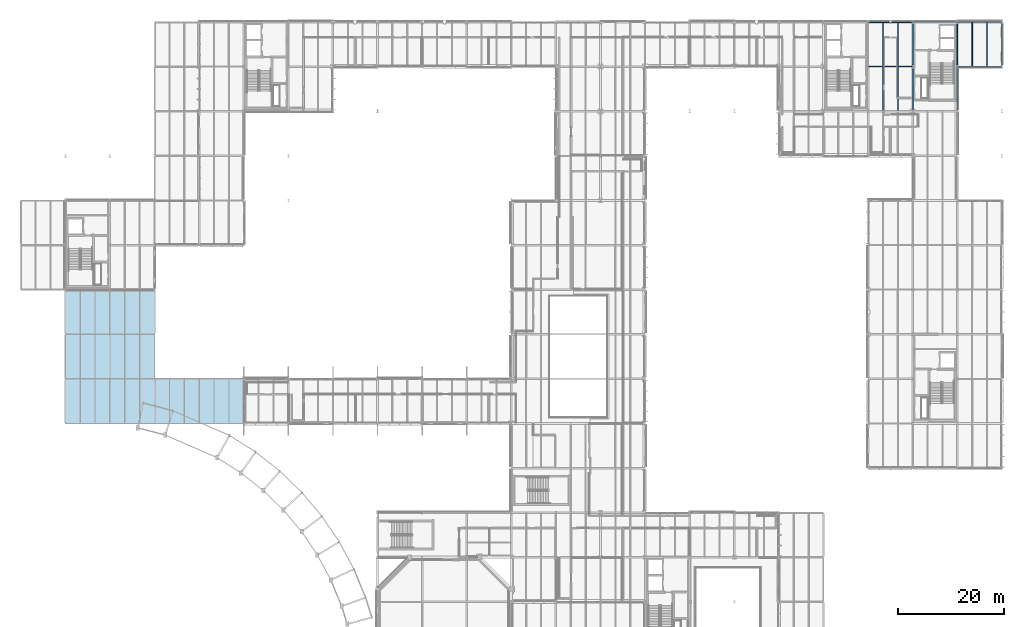
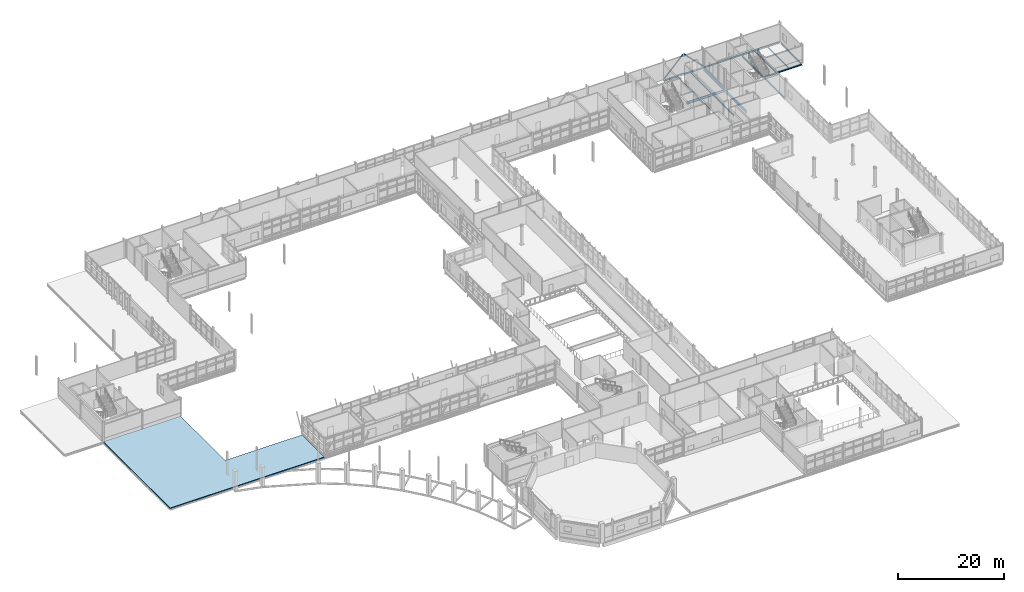
# One storey, part 80 of 129: 16 beams, 2 members, 1 slab.
"""IFC4 building model written with IfcOpenShell, lengths in metres."""

from ifc_helpers import new_model, si_unit, direction, frame, origin, origin_2d, place, context, subcontext, project, spatial, polyline, hollow_circle, i_section, outline, extrude, material, layer, layer_set, material_profile, profile_set, type_object, element, save


model = new_model("IFC4")

# Units and contexts
model_context = context("Model", 3, precision=1e-05, world=origin(), true_north=direction((0.0, 1.0)))
body_context = subcontext(model_context, "Body", "Model", "MODEL_VIEW")
ifc_project = project(units=[si_unit("LENGTHUNIT", "METRE"), si_unit("AREAUNIT", "SQUARE_METRE"), si_unit("VOLUMEUNIT", "CUBIC_METRE"), si_unit("PLANEANGLEUNIT", "RADIAN"), si_unit("MASSUNIT", "GRAM", prefix="KILO")], contexts=[model_context])

# Site, building, storey
site_placement = place(None, origin())
site = spatial("IfcSite", under=ifc_project, at=site_placement, CompositionType="ELEMENT")
building_placement = place(site_placement, origin())
building = spatial("IfcBuilding", under=site, at=building_placement, Name="Mersafa Astral City Hall", CompositionType="ELEMENT")
storey_placement = place(building_placement, frame((0.0, 0.0, 5.39990234375)))
storey = spatial("IfcBuildingStorey", under=building, at=storey_placement, Name="L01", CompositionType="ELEMENT", Elevation=5.39990234375)

# Beams
ifc_material_1 = material(Name="Steel S355", Category="steel")
ifc_material_profile_1 = material_profile(ifc_material_1, i_section(OverallWidth=0.300048828125, OverallDepth=0.489990234375, WebThickness=0.011962890625, FlangeThickness=0.02294921875, FilletRadius=0.027099609375, at=origin_2d()), Name="HEA 500")
ifc_profile_set_1 = profile_set([ifc_material_profile_1], Name="Steel S355")
beam_type_1 = type_object("IfcBeamType", Name="STR-BM-HEA500", PredefinedType="BEAM", material=ifc_profile_set_1)
beam_1_placement = place(storey_placement, frame((168.0, 117.89501953125, -0.469970703125), z_axis=(0.0, 1.0, 0.0), x_axis=(-1.0, 0.0, 0.0)))
element("IfcBeam", 1, at=beam_1_placement, inside=storey, type_object=beam_type_1, Name="L01 Primary girder Y 20-14", PredefinedType="BEAM", context=body_context, shape_type="SweptSolid", body=[
    extrude(i_section(OverallWidth=0.300048828125, OverallDepth=0.489990234375, WebThickness=0.011962890625, FlangeThickness=0.02294921875, FilletRadius=0.027099609375, at=origin_2d()), origin(), (0.0, 0.0, 1.0), 7.81005859375),
])
ifc_material_profile_2 = material_profile(ifc_material_1, i_section(OverallWidth=0.179931640625, OverallDepth=0.39990234375, WebThickness=0.008544921875, FlangeThickness=0.013427734375, FilletRadius=0.02099609375, at=origin_2d()), Name="IPE 400")
ifc_profile_set_2 = profile_set([ifc_material_profile_2], Name="Steel S355")
beam_type_2 = type_object("IfcBeamType", Name="STR-BM-IPE400", PredefinedType="BEAM", material=ifc_profile_set_2)
beam_2_placement = place(storey_placement, frame((176.39990234375, 117.89501953125, -0.4248046875), z_axis=(0.0, 1.0, 0.0), x_axis=(-1.0, 0.0, 0.0)))
element("IfcBeam", 2, at=beam_2_placement, inside=storey, type_object=beam_type_2, Name="L01 Primary girder Y 21-14", PredefinedType="BEAM", context=body_context, shape_type="SweptSolid", body=[
    extrude(i_section(OverallWidth=0.179931640625, OverallDepth=0.39990234375, WebThickness=0.008544921875, FlangeThickness=0.013427734375, FilletRadius=0.02099609375, at=origin_2d()), origin(), (0.0, 0.0, 1.0), 7.81005859375),
])
ifc_material_profile_3 = material_profile(ifc_material_1, i_section(OverallWidth=0.2099609375, OverallDepth=0.550048828125, WebThickness=0.010986328125, FlangeThickness=0.01708984375, FilletRadius=0.02392578125, at=origin_2d()), Name="IPE 550")
ifc_profile_set_3 = profile_set([ifc_material_profile_3], Name="Steel S355")
beam_type_3 = type_object("IfcBeamType", Name="STR-BM-IPE550", PredefinedType="BEAM", material=ifc_profile_set_3)
beam_3_placement = place(storey_placement, frame((159.60302734375, 117.60009765625, -0.5), z_axis=(1.0, 0.0, 0.0), x_axis=(0.0, 1.0, 0.0)))
element("IfcBeam", 3, at=beam_3_placement, inside=storey, type_object=beam_type_3, Name="L01 Primary girder X 19-14", PredefinedType="BEAM", context=body_context, shape_type="SweptSolid", body=[
    extrude(i_section(OverallWidth=0.2099609375, OverallDepth=0.550048828125, WebThickness=0.010986328125, FlangeThickness=0.01708984375, FilletRadius=0.02392578125, at=origin_2d()), origin(), (0.0, 0.0, 1.0), 8.39404296875),
])
ifc_material_profile_4 = material_profile(ifc_material_1, i_section(OverallWidth=0.219970703125, OverallDepth=0.60009765625, WebThickness=0.011962890625, FlangeThickness=0.01904296875, FilletRadius=0.02392578125, at=origin_2d()), Name="IPE 600")
ifc_profile_set_4 = profile_set([ifc_material_profile_4], Name="Steel S355")
beam_type_4 = type_object("IfcBeamType", Name="STR-BM-IPE600", PredefinedType="BEAM", material=ifc_profile_set_4)
beam_4_placement = place(storey_placement, frame((168.0, 109.4951171875, -0.52490234375), z_axis=(0.0, 1.0, 0.0), x_axis=(-1.0, 0.0, 0.0)))
element("IfcBeam", 4, at=beam_4_placement, inside=storey, type_object=beam_type_4, Name="L01 Primary girder Y 20-13", PredefinedType="BEAM", context=body_context, shape_type="SweptSolid", body=[
    extrude(i_section(OverallWidth=0.219970703125, OverallDepth=0.60009765625, WebThickness=0.011962890625, FlangeThickness=0.01904296875, FilletRadius=0.02392578125, at=origin_2d()), origin(), (0.0, 0.0, 1.0), 7.809814453125),
])
ifc_material_profile_5 = material_profile(ifc_material_1, i_section(OverallWidth=0.110107421875, OverallDepth=0.219970703125, WebThickness=0.005859375, FlangeThickness=0.00927734375, FilletRadius=0.011962890625, at=origin_2d()), Name="IPE 220")
ifc_profile_set_5 = profile_set([ifc_material_profile_5], Name="Steel S355")
beam_type_5 = type_object("IfcBeamType", Name="STR-BM-JOIST-IPE220", PredefinedType="JOIST", material=ifc_profile_set_5)
for number, where, z_axis, x_axis, name in (
    (5, (162.39990234375, 117.699951171875, -0.3349609375), (0.0, 1.0, 0.0), (-1.0, 0.0, 0.0), "L01 Composite secondary floor joist 374"),
    (6, (165.199951171875, 117.699951171875, -0.3349609375), (0.0, 1.0, 0.0), (-1.0, 0.0, 0.0), "L01 Composite secondary floor joist 375"),
):
    element("IfcBeam", number, at=place(storey_placement, frame(where, z_axis=z_axis, x_axis=x_axis)), inside=storey, type_object=beam_type_5, Name=name, PredefinedType="JOIST", context=body_context, shape_type="SweptSolid", body=[
        extrude(i_section(OverallWidth=0.110107421875, OverallDepth=0.219970703125, WebThickness=0.005859375, FlangeThickness=0.00927734375, FilletRadius=0.011962890625, at=origin_2d()), origin(), (0.0, 0.0, 1.0), 8.219970703125),
    ])
ifc_material_profile_6 = material_profile(ifc_material_1, i_section(OverallWidth=0.1201171875, OverallDepth=0.239990234375, WebThickness=0.006103515625, FlangeThickness=0.009765625, FilletRadius=0.014892578125, at=origin_2d()), Name="IPE 240")
ifc_profile_set_6 = profile_set([ifc_material_profile_6], Name="Steel S355")
beam_type_6 = type_object("IfcBeamType", Name="STR-BM-JOIST-IPE240", PredefinedType="JOIST", material=ifc_profile_set_6)
for number, where, z_axis, x_axis, name in (
    (7, (162.39990234375, 109.344970703125, -0.344970703125), (0.0, 1.0, 0.0), (-1.0, 0.0, 0.0), "L01 Composite secondary floor joist 372"),
    (8, (165.199951171875, 109.344970703125, -0.344970703125), (0.0, 1.0, 0.0), (-1.0, 0.0, 0.0), "L01 Composite secondary floor joist 373"),
):
    element("IfcBeam", number, at=place(storey_placement, frame(where, z_axis=z_axis, x_axis=x_axis)), inside=storey, type_object=beam_type_6, Name=name, PredefinedType="JOIST", context=body_context, shape_type="SweptSolid", body=[
        extrude(i_section(OverallWidth=0.1201171875, OverallDepth=0.239990234375, WebThickness=0.006103515625, FlangeThickness=0.009765625, FilletRadius=0.014892578125, at=origin_2d()), origin(), (0.0, 0.0, 1.0), 8.155029296875),
    ])
ifc_material_profile_7 = material_profile(ifc_material_1, i_section(OverallWidth=0.135009765625, OverallDepth=0.27001953125, WebThickness=0.006591796875, FlangeThickness=0.01025390625, FilletRadius=0.014892578125, at=origin_2d()), Name="IPE 270")
ifc_profile_set_7 = profile_set([ifc_material_profile_7], Name="Steel S355")
beam_type_7 = type_object("IfcBeamType", Name="STR-BM-JOIST-IPE270", PredefinedType="JOIST", material=ifc_profile_set_7)
for number, where, z_axis, x_axis, name in (
    (9, (179.199951171875, 117.675048828125, -0.35986328125), (0.0, 1.0, 0.0), (-1.0, 0.0, 0.0), "L01 Composite secondary floor joist 401"),
    (10, (182.0, 117.675048828125, -0.35986328125), (0.0, 1.0, 0.0), (-1.0, 0.0, 0.0), "L01 Composite secondary floor joist 402"),
):
    element("IfcBeam", number, at=place(storey_placement, frame(where, z_axis=z_axis, x_axis=x_axis)), inside=storey, type_object=beam_type_7, Name=name, PredefinedType="JOIST", context=body_context, shape_type="SweptSolid", body=[
        extrude(i_section(OverallWidth=0.135009765625, OverallDepth=0.27001953125, WebThickness=0.006591796875, FlangeThickness=0.01025390625, FilletRadius=0.014892578125, at=origin_2d()), origin(), (0.0, 0.0, 1.0), 8.244873046875),
    ])
ifc_material_profile_8 = material_profile(ifc_material_1, i_section(OverallWidth=0.159912109375, OverallDepth=0.330078125, WebThickness=0.007568359375, FlangeThickness=0.011474609375, FilletRadius=0.01806640625, at=origin_2d()), Name="IPE 330")
ifc_profile_set_8 = profile_set([ifc_material_profile_8], Name="Steel S355")
beam_type_8 = type_object("IfcBeamType", Name="STR-BM-SPANDREL-IPE330", PredefinedType="SPANDREL", material=ifc_profile_set_8)
for number, where, z_axis, x_axis, name in (
    (11, (176.403076171875, 117.60009765625, -0.389892578125), (1.0, 0.0, 0.0), (0.0, 1.0, 0.0), "L01 Primary girder X 21-14"),
    (12, (168.0029296875, 126.0, -0.389892578125), (1.0, 0.0, 0.0), (0.0, 1.0, 0.0), "L01 Primary girder X 20-15"),
):
    element("IfcBeam", number, at=place(storey_placement, frame(where, z_axis=z_axis, x_axis=x_axis)), inside=storey, type_object=beam_type_8, Name=name, PredefinedType="SPANDREL", context=body_context, shape_type="SweptSolid", body=[
        extrude(i_section(OverallWidth=0.159912109375, OverallDepth=0.330078125, WebThickness=0.007568359375, FlangeThickness=0.011474609375, FilletRadius=0.01806640625, at=origin_2d()), origin(), (0.0, 0.0, 1.0), 8.39404296875),
    ])
ifc_material_profile_9 = material_profile(ifc_material_1, i_section(OverallWidth=0.169921875, OverallDepth=0.360107421875, WebThickness=0.008056640625, FlangeThickness=0.0126953125, FilletRadius=0.01806640625, at=origin_2d()), Name="IPE 360")
ifc_profile_set_9 = profile_set([ifc_material_profile_9], Name="Steel S355")
beam_type_9 = type_object("IfcBeamType", Name="STR-BM-SPANDREL-IPE360", PredefinedType="SPANDREL", material=ifc_profile_set_9)
for number, where, z_axis, x_axis, name in (
    (13, (159.60302734375, 126.0, -0.40478515625), (1.0, 0.0, 0.0), (0.0, 1.0, 0.0), "L01 Primary girder X 19-15"),
    (14, (176.403076171875, 126.0, -0.40478515625), (1.0, 0.0, 0.0), (0.0, 1.0, 0.0), "L01 Primary girder X 21-15"),
):
    element("IfcBeam", number, at=place(storey_placement, frame(where, z_axis=z_axis, x_axis=x_axis)), inside=storey, type_object=beam_type_9, Name=name, PredefinedType="SPANDREL", context=body_context, shape_type="SweptSolid", body=[
        extrude(i_section(OverallWidth=0.169921875, OverallDepth=0.360107421875, WebThickness=0.008056640625, FlangeThickness=0.0126953125, FilletRadius=0.01806640625, at=origin_2d()), origin(), (0.0, 0.0, 1.0), 8.39404296875),
    ])
beam_5_placement = place(storey_placement, frame((176.39990234375, 109.4951171875, -0.40478515625), z_axis=(0.0, 1.0, 0.0), x_axis=(-1.0, 0.0, 0.0)))
element("IfcBeam", 15, at=beam_5_placement, inside=storey, type_object=beam_type_9, Name="L01 Primary girder Y 21-13", PredefinedType="SPANDREL", context=body_context, shape_type="SweptSolid", body=[
    extrude(i_section(OverallWidth=0.169921875, OverallDepth=0.360107421875, WebThickness=0.008056640625, FlangeThickness=0.0126953125, FilletRadius=0.01806640625, at=origin_2d()), origin(), (0.0, 0.0, 1.0), 7.809814453125),
])
beam_6_placement = place(storey_placement, frame((184.800048828125, 117.89501953125, -0.40478515625), z_axis=(0.0, 1.0, 0.0), x_axis=(-1.0, 0.0, 0.0)))
element("IfcBeam", 16, at=beam_6_placement, inside=storey, type_object=beam_type_9, Name="L01 Primary girder Y 22-14", PredefinedType="SPANDREL", context=body_context, shape_type="SweptSolid", body=[
    extrude(i_section(OverallWidth=0.169921875, OverallDepth=0.360107421875, WebThickness=0.008056640625, FlangeThickness=0.0126953125, FilletRadius=0.01806640625, at=origin_2d()), origin(), (0.0, 0.0, 1.0), 7.81005859375),
])

# Members
ifc_material_profile_10 = material_profile(ifc_material_1, hollow_circle(Radius=0.136474609375, WallThickness=0.012451171875, at=origin_2d()), Name="CHS 273x12.5")
ifc_profile_set_10 = profile_set([ifc_material_profile_10], Name="Steel S355")
member_type = type_object("IfcMemberType", Name="STR-MBR-BRACE-CHS273", PredefinedType="BRACE", material=ifc_profile_set_10)
for number, where, z_axis, x_axis, name in (
    (17, (159.597900390625, 126.0, 0.02001953125), (0.696897735077, 0.0, 0.717170514484), (0.0, 1.0, 0.0), "L01 Chevron lateral brace 24A"),
    (18, (168.001953125, 126.0, 0.02001953125), (-0.696897735077, 0.0, 0.717170514484), (0.0, -1.0, 0.0), "L01 Chevron lateral brace 24B"),
):
    element("IfcMember", number, at=place(storey_placement, frame(where, z_axis=z_axis, x_axis=x_axis)), inside=storey, type_object=member_type, Name=name, PredefinedType="BRACE", context=body_context, shape_type="SweptSolid", body=[
        extrude(hollow_circle(Radius=0.136474609375, WallThickness=0.012451171875, at=origin_2d()), origin(), (0.0, 0.0, 1.0), 5.82861328125),
    ])

# Slab
ifc_material_2 = material(Name="Concrete C40/50", Category="concrete")
ifc_layer = layer(ifc_material_2, 0.199951171875, Name="Concrete C40/50")
ifc_layer_set = layer_set([ifc_layer], Name="Concrete C40/50 — STR-SLAB-ROOF-200")
slab_type = type_object("IfcSlabType", Name="STR-SLAB-ROOF-200", PredefinedType="ROOF", material=ifc_layer_set)
slab_placement = place(storey_placement, frame((0.0, 0.0, -0.199951171875)))
element("IfcSlab", 19, at=slab_placement, inside=storey, type_object=slab_type, Name="L01 Flat structural wing roof slab 1", PredefinedType="ROOF", context=body_context, shape_type="SweptSolid", body=[
    extrude(outline(polyline([(33.60009765625, 50.39990234375), (25.199951171875, 50.39990234375), (16.800048828125, 50.39990234375), (8.39990234375, 50.39990234375), (8.39990234375, 58.800048828125), (8.39990234375, 67.199951171875), (8.39990234375, 75.592041015625), (25.199951171875, 75.592041015625), (25.199951171875, 67.199951171875), (25.199951171875, 58.800048828125), (33.60009765625, 58.800048828125), (41.991943359375, 58.800048828125), (41.991943359375, 50.39990234375), (33.60009765625, 50.39990234375)])), origin(), (0.0, 0.0, 1.0), 0.199951171875),
])

save(model, "model.ifc")
